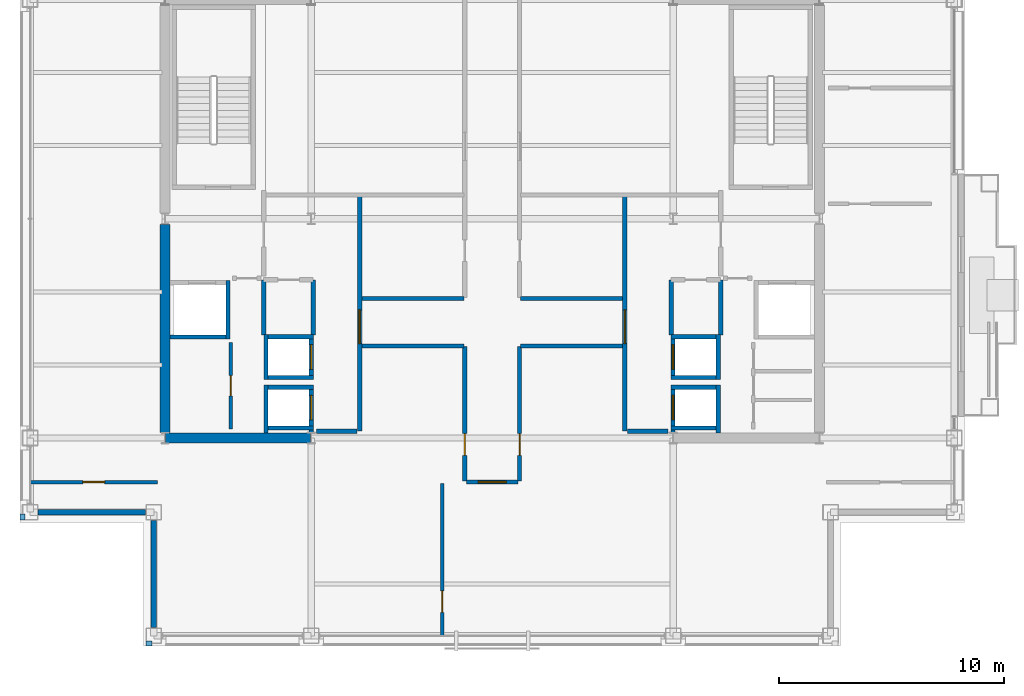
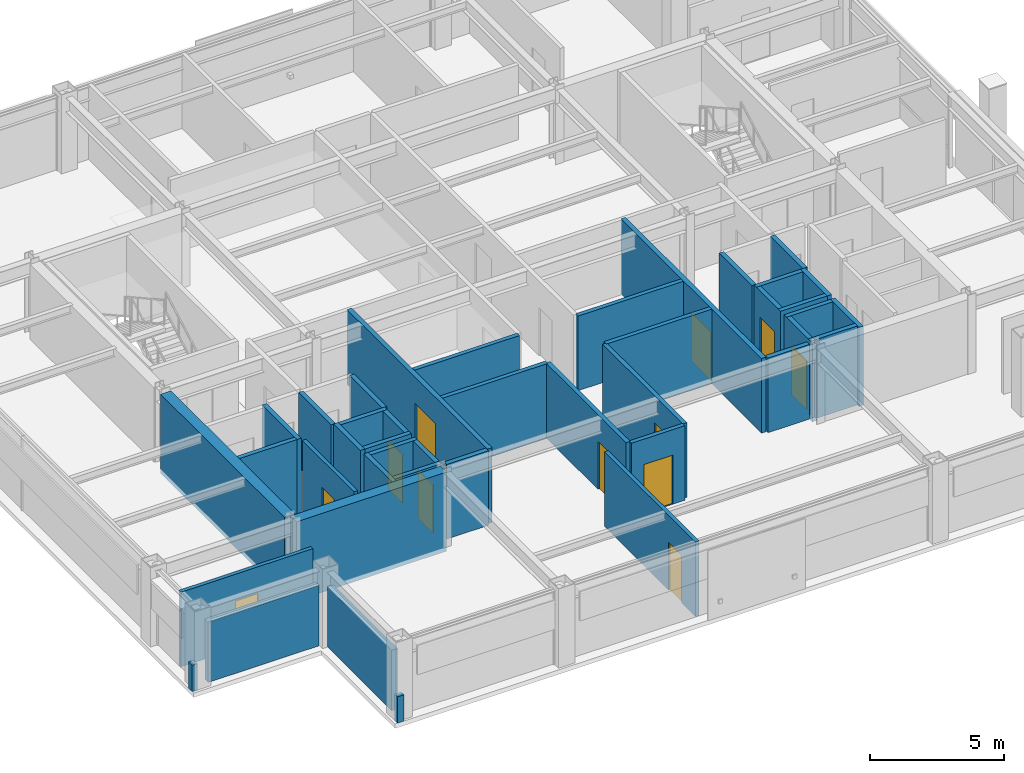
# One storey, part 25 of 30: 42 walls, 12 doors, 12 openings.
"""IFC4 building model written with IfcOpenShell, lengths in metres."""

from ifc_helpers import new_model, si_unit, direction, frame, frame_2d, origin, place, context, subcontext, project, spatial, rectangle, extrude, material, layer, layer_set, type_object, element, fill, save


model = new_model("IFC4")

# Units and contexts
model_context = context("Model", 3, precision=1e-05, world=origin(), true_north=direction((0.0, 1.0)))
body_context = subcontext(model_context, "Body", "Model", "MODEL_VIEW")
ifc_project = project(units=[si_unit("LENGTHUNIT", "METRE"), si_unit("AREAUNIT", "SQUARE_METRE"), si_unit("VOLUMEUNIT", "CUBIC_METRE"), si_unit("PLANEANGLEUNIT", "RADIAN"), si_unit("MASSUNIT", "GRAM", prefix="KILO")], contexts=[model_context])

# Site, building, storey
site_placement = place(None, origin())
site = spatial("IfcSite", under=ifc_project, at=site_placement, CompositionType="ELEMENT")
building_placement = place(site_placement, origin())
building = spatial("IfcBuilding", under=site, at=building_placement, Name="Brelmoor Portico Tower", CompositionType="ELEMENT")
storey_placement = place(building_placement, frame((0.0, 0.0, 198.300048828125)))
storey = spatial("IfcBuildingStorey", under=building, at=storey_placement, Name="L52", CompositionType="ELEMENT", Elevation=198.300048828125)

# Walls
ifc_material_1 = material(Name="Concrete C50", Category="concrete")
ifc_layer_1 = layer(ifc_material_1, 0.449951171875)
ifc_layer_set_1 = layer_set([ifc_layer_1], Name="Concrete C50")
wall_type_1 = type_object("IfcWallType", Name="WL-CORE-450", PredefinedType="SHEAR", material=ifc_layer_set_1)
wall_1_placement = place(storey_placement, frame((-14.530029296875, -9.75, -0.199951171875), z_axis=(0.0, 0.0, 1.0), x_axis=(1.0, 0.0, 0.0)))
element("IfcWall", 1, at=wall_1_placement, inside=storey, type_object=wall_type_1, Name="L52 WC South Shear Wall", PredefinedType="SHEAR", context=body_context, shape_type="SweptSolid", body=[
    extrude(rectangle(XDim=6.4599609375, YDim=0.449951171875, at=frame_2d((3.22998046875, 0.0))), origin(), (0.0, 0.0, 1.0), 3.599853515625),
])
wall_2_placement = place(storey_placement, frame((-14.550048828125, -9.5, -0.199951171875), z_axis=(0.0, 0.0, 1.0), x_axis=(0.0, 1.0, 0.0)))
element("IfcWall", 2, at=wall_2_placement, inside=storey, type_object=wall_type_1, Name="L52 WC Outer South Shear Wall", PredefinedType="SHEAR", context=body_context, shape_type="SweptSolid", body=[
    extrude(rectangle(XDim=9.25, YDim=0.449951171875, at=frame_2d((4.625, 0.0))), origin(), (0.0, 0.0, 1.0), 3.599853515625),
])
ifc_material_2 = material(Name="Precast Concrete C40 Insulated Facade Wall", Category="concrete")
ifc_layer_2 = layer(ifc_material_2, 0.25)
ifc_layer_set_2 = layer_set([ifc_layer_2], Name="Precast Concrete C40 Insulated Facade Wall")
wall_type_2 = type_object("IfcWallType", Name="WL-EXT-250", PredefinedType="STANDARD", material=ifc_layer_set_2)
for number, where, z_axis, x_axis, name in (
    (3, (-20.18994140625, -13.050048828125, 0.0), (0.0, 0.0, 1.0), (1.0, 0.0, 0.0), "L52 Corner Notch Facade Wall NSWH1"),
    (4, (-15.050048828125, -18.18994140625, 0.0), (0.0, 0.0, 1.0), (0.0, 1.0, 0.0), "L52 Corner Notch Facade Wall NSWV1"),
):
    element("IfcWall", number, at=place(storey_placement, frame(where, z_axis=z_axis, x_axis=x_axis)), inside=storey, type_object=wall_type_2, Name=name, PredefinedType="STANDARD", context=body_context, shape_type="SweptSolid", body=[
        extrude(rectangle(XDim=4.780029296875, YDim=0.25, at=frame_2d((2.39013671875, 0.0))), origin(), (0.0, 0.0, 1.0), 2.75),
    ])
ifc_material_3 = material(Name="Concrete C40 Parapet Upstand", Category="concrete")
ifc_layer_3 = layer(ifc_material_3, 0.219970703125)
ifc_layer_set_3 = layer_set([ifc_layer_3], Name="Concrete C40 Parapet Upstand")
wall_type_3 = type_object("IfcWallType", Name="WL-PARAPET-220", PredefinedType="PARAPET", material=ifc_layer_set_3)
for number, where, z_axis, x_axis, name in (
    (5, (-15.389892578125, -18.889892578125, 0.0), (0.0, 0.0, 1.0), (1.0, 0.0, 0.0), "L52 Chamfer Vertex Parapet Pier SW1"),
    (6, (-20.889892578125, -13.389892578125, 0.0), (0.0, 0.0, 1.0), (0.0, 1.0, 0.0), "L52 Chamfer Vertex Parapet Pier SW2"),
):
    element("IfcWall", number, at=place(storey_placement, frame(where, z_axis=z_axis, x_axis=x_axis)), inside=storey, type_object=wall_type_3, Name=name, PredefinedType="PARAPET", context=body_context, shape_type="SweptSolid", body=[
        extrude(rectangle(XDim=0.269775390625, YDim=0.219970703125, at=frame_2d((0.134765625, 0.0))), origin(), (0.0, 0.0, 1.0), 1.199951171875),
    ])

# Wall, opening, door
ifc_material_4 = material(Name="Twin-Frame Acoustic Partition", Category="gypsum")
ifc_layer_4 = layer(ifc_material_4, 0.159912109375)
ifc_layer_set_4 = layer_set([ifc_layer_4], Name="Twin-Frame Acoustic Partition")
wall_type_4 = type_object("IfcWallType", Name="WL-PART-160", PredefinedType="PARTITIONING", material=ifc_layer_set_4)
wall_3_placement = place(storey_placement, frame((-11.6201171875, -9.35009765625, 0.0), z_axis=(0.0, 0.0, 1.0), x_axis=(0.0, 1.0, 0.0)))
wall_3 = element("IfcWall", 7, at=wall_3_placement, inside=storey, type_object=wall_type_4, Name="L52 W Core Service Front Wall", PredefinedType="PARTITIONING", context=body_context, shape_type="SweptSolid", body=[
    extrude(rectangle(XDim=3.85009765625, YDim=0.159912109375, at=frame_2d((1.925048828125, 0.0))), origin(), (0.0, 0.0, 1.0), 3.39990234375),
])
opening_1_placement = place(wall_3_placement, frame((1.47509765625, 0.0, 0.0)))
opening_1 = element("IfcOpeningElement", 8, at=opening_1_placement, cuts=wall_3, Name="Opening D-IN1", PredefinedType="OPENING", context=body_context, shape_type="SweptSolid", body=[
    extrude(rectangle(XDim=0.89990234375, YDim=2.14990234375, at=frame_2d((0.449951171875, 1.074951171875))), frame((0.0, 0.08984375, 0.0), z_axis=(0.0, -1.0, 0.0), x_axis=(1.0, 0.0, 0.0)), (0.0, 0.0, 1.0), 0.179931640625),
])
ifc_material_5 = material(Name="Lacquered Timber Suite Door", Category="wood")
door_type_1 = type_object("IfcDoorType", Name="DR-INT-900", OperationType="NOTDEFINED", PredefinedType="DOOR", material=ifc_material_5)
door_1_placement = place(opening_1_placement, origin())
door_1 = element("IfcDoor", 9, at=door_1_placement, inside=storey, type_object=door_type_1, Name="D-2191 L52 W Accessible WC Door", OperationType="SINGLE_SWING_RIGHT", OverallHeight=2.14990234375, OverallWidth=0.89990234375, PredefinedType="DOOR", context=body_context, shape_type="SweptSolid", body=[
    extrude(rectangle(XDim=0.89990234375, YDim=2.14990234375, at=frame_2d((0.449951171875, 1.074951171875))), frame((0.0, 0.02490234375, 0.0), z_axis=(0.0, -1.0, 0.0), x_axis=(1.0, 0.0, 0.0)), (0.0, 0.0, 1.0), 0.050048828125),
])
fill(opening_1, door_1)

wall_4_placement = place(storey_placement, frame((-2.2255859375, -18.56005859375, 0.0), z_axis=(0.0, 0.0, 1.0), x_axis=(0.0, 1.0, 0.0)))
wall_4 = element("IfcWall", 10, at=wall_4_placement, inside=storey, type_object=wall_type_4, Name="L52 South Suite Partition 1", PredefinedType="PARTITIONING", context=body_context, shape_type="SweptSolid", body=[
    extrude(rectangle(XDim=6.7900390625, YDim=0.159912109375, at=frame_2d((3.39501953125, 0.0))), origin(), (0.0, 0.0, 1.0), 3.39990234375),
])
opening_2_placement = place(wall_4_placement, frame((1.050048828125, 0.0, 0.0)))
opening_2 = element("IfcOpeningElement", 11, at=opening_2_placement, cuts=wall_4, Name="Opening D-IN2", PredefinedType="OPENING", context=body_context, shape_type="SweptSolid", body=[
    extrude(rectangle(XDim=0.9599609375, YDim=2.179931640625, at=frame_2d((0.47998046875, 1.08984375))), frame((0.0, 0.08984375, 0.0), z_axis=(0.0, -1.0, 0.0), x_axis=(1.0, 0.0, 0.0)), (0.0, 0.0, 1.0), 0.179931640625),
])
door_type_2 = type_object("IfcDoorType", Name="DR-INT-950", OperationType="NOTDEFINED", PredefinedType="DOOR", material=ifc_material_5)
door_2_placement = place(opening_2_placement, origin())
door_2 = element("IfcDoor", 12, at=door_2_placement, inside=storey, type_object=door_type_2, Name="D-2206 L52 South Suite Connecting Door 1", OperationType="SINGLE_SWING_RIGHT", OverallHeight=2.179931640625, OverallWidth=0.9599609375, PredefinedType="DOOR", context=body_context, shape_type="SweptSolid", body=[
    extrude(rectangle(XDim=0.9599609375, YDim=2.179931640625, at=frame_2d((0.47998046875, 1.08984375))), frame((0.0, 0.02490234375, 0.0), z_axis=(0.0, -1.0, 0.0), x_axis=(1.0, 0.0, 0.0)), (0.0, 0.0, 1.0), 0.050048828125),
])
fill(opening_2, door_2)

wall_5_placement = place(storey_placement, frame((-20.56005859375, -11.7099609375, 0.0), z_axis=(0.0, 0.0, 1.0), x_axis=(1.0, 0.0, 0.0)))
wall_5 = element("IfcWall", 13, at=wall_5_placement, inside=storey, type_object=wall_type_4, Name="L52 South Wing Closure WL", PredefinedType="PARTITIONING", context=body_context, shape_type="SweptSolid", body=[
    extrude(rectangle(XDim=5.68017578125, YDim=0.159912109375, at=frame_2d((2.840087890625, 0.0))), origin(), (0.0, 0.0, 1.0), 3.39990234375),
])
opening_3_placement = place(wall_5_placement, frame((2.360107421875, 0.0, 0.0)))
opening_3 = element("IfcOpeningElement", 14, at=opening_3_placement, cuts=wall_5, Name="Opening D-IN2", PredefinedType="OPENING", context=body_context, shape_type="SweptSolid", body=[
    extrude(rectangle(XDim=0.9599609375, YDim=2.179931640625, at=frame_2d((0.47998046875, 1.08984375))), frame((0.0, 0.08984375, 0.0), z_axis=(0.0, -1.0, 0.0), x_axis=(1.0, 0.0, 0.0)), (0.0, 0.0, 1.0), 0.179931640625),
])
door_3_placement = place(opening_3_placement, origin())
door_3 = element("IfcDoor", 15, at=door_3_placement, inside=storey, type_object=door_type_2, Name="D-2210 L52 WL Wing South Suite Door", OperationType="SINGLE_SWING_RIGHT", OverallHeight=2.179931640625, OverallWidth=0.9599609375, PredefinedType="DOOR", context=body_context, shape_type="SweptSolid", body=[
    extrude(rectangle(XDim=0.9599609375, YDim=2.179931640625, at=frame_2d((0.47998046875, 1.08984375))), frame((0.0, 0.02490234375, 0.0), z_axis=(0.0, -1.0, 0.0), x_axis=(1.0, 0.0, 0.0)), (0.0, 0.0, 1.0), 0.050048828125),
])
fill(opening_3, door_3)

# Walls
ifc_material_6 = material(Name="Acoustic Corridor Fire Partition", Category="gypsum")
ifc_layer_5 = layer(ifc_material_6, 0.179931640625)
ifc_layer_set_5 = layer_set([ifc_layer_5], Name="Acoustic Corridor Fire Partition")
wall_type_5 = type_object("IfcWallType", Name="WL-PART-180", PredefinedType="PARTITIONING", material=ifc_layer_set_5)
for number, where, z_axis, x_axis, name in (
    (16, (-5.800048828125, -3.550048828125, 0.0), (0.0, 0.0, 1.0), (1.0, 0.0, 0.0), "L52 West Pantry South Wall"),
    (17, (1.260009765625, -3.550048828125, 0.0), (0.0, 0.0, 1.0), (1.0, 0.0, 0.0), "L52 East Office South Wall"),
):
    element("IfcWall", number, at=place(storey_placement, frame(where, z_axis=z_axis, x_axis=x_axis)), inside=storey, type_object=wall_type_5, Name=name, PredefinedType="PARTITIONING", context=body_context, shape_type="SweptSolid", body=[
        extrude(rectangle(XDim=4.5400390625, YDim=0.179931640625, at=frame_2d((2.27001953125, 0.0))), origin(), (0.0, 0.0, 1.0), 3.39990234375),
    ])

# Wall, opening, door
wall_6_placement = place(storey_placement, frame((-1.219970703125, -11.669921875, 0.0), z_axis=(0.0, 0.0, 1.0), x_axis=(0.0, 1.0, 0.0)))
wall_6 = element("IfcWall", 18, at=wall_6_placement, inside=storey, type_object=wall_type_5, Name="L52 South Cross West Wall", PredefinedType="PARTITIONING", context=body_context, shape_type="SweptSolid", body=[
    extrude(rectangle(XDim=5.989990234375, YDim=0.179931640625, at=frame_2d((2.9951171875, 0.0))), origin(), (0.0, 0.0, 1.0), 3.39990234375),
])
opening_4_placement = place(wall_6_placement, frame((1.14990234375, 0.0, 0.0)))
opening_4 = element("IfcOpeningElement", 19, at=opening_4_placement, cuts=wall_6, Name="Opening D-IN2", PredefinedType="OPENING", context=body_context, shape_type="SweptSolid", body=[
    extrude(rectangle(XDim=0.9599609375, YDim=2.179931640625, at=frame_2d((0.47998046875, 1.08984375))), frame((0.0, 0.099853515625, 0.0), z_axis=(0.0, -1.0, 0.0), x_axis=(1.0, 0.0, 0.0)), (0.0, 0.0, 1.0), 0.199951171875),
])
door_4_placement = place(opening_4_placement, origin())
door_4 = element("IfcDoor", 20, at=door_4_placement, inside=storey, type_object=door_type_2, Name="D-2183 L52 South-West Archive Room Door", OperationType="SINGLE_SWING_LEFT", OverallHeight=2.179931640625, OverallWidth=0.9599609375, PredefinedType="DOOR", context=body_context, shape_type="SweptSolid", body=[
    extrude(rectangle(XDim=0.9599609375, YDim=2.179931640625, at=frame_2d((0.47998046875, 1.08984375))), frame((0.0, 0.02490234375, 0.0), z_axis=(0.0, -1.0, 0.0), x_axis=(1.0, 0.0, 0.0)), (0.0, 0.0, 1.0), 0.050048828125),
])
fill(opening_4, door_4)

wall_7_placement = place(storey_placement, frame((1.219970703125, -11.669921875, 0.0), z_axis=(0.0, 0.0, 1.0), x_axis=(0.0, 1.0, 0.0)))
wall_7 = element("IfcWall", 21, at=wall_7_placement, inside=storey, type_object=wall_type_5, Name="L52 South Cross East Wall", PredefinedType="PARTITIONING", context=body_context, shape_type="SweptSolid", body=[
    extrude(rectangle(XDim=5.989990234375, YDim=0.179931640625, at=frame_2d((2.9951171875, 0.0))), origin(), (0.0, 0.0, 1.0), 3.39990234375),
])
opening_5_placement = place(wall_7_placement, frame((1.14990234375, 0.0, 0.0)))
opening_5 = element("IfcOpeningElement", 22, at=opening_5_placement, cuts=wall_7, Name="Opening D-IN2", PredefinedType="OPENING", context=body_context, shape_type="SweptSolid", body=[
    extrude(rectangle(XDim=0.9599609375, YDim=2.179931640625, at=frame_2d((0.47998046875, 1.08984375))), frame((0.0, 0.099853515625, 0.0), z_axis=(0.0, -1.0, 0.0), x_axis=(1.0, 0.0, 0.0)), (0.0, 0.0, 1.0), 0.199951171875),
])
door_5_placement = place(opening_5_placement, origin())
door_5 = element("IfcDoor", 23, at=door_5_placement, inside=storey, type_object=door_type_2, Name="D-2182 L52 South-East Partner Office Door", OperationType="SINGLE_SWING_RIGHT", OverallHeight=2.179931640625, OverallWidth=0.9599609375, PredefinedType="DOOR", context=body_context, shape_type="SweptSolid", body=[
    extrude(rectangle(XDim=0.9599609375, YDim=2.179931640625, at=frame_2d((0.47998046875, 1.08984375))), frame((0.0, 0.02490234375, 0.0), z_axis=(0.0, -1.0, 0.0), x_axis=(1.0, 0.0, 0.0)), (0.0, 0.0, 1.0), 0.050048828125),
])
fill(opening_5, door_5)

# Walls
for number, where, z_axis, x_axis, name in (
    (24, (-5.800048828125, -5.64990234375, 0.0), (0.0, 0.0, 1.0), (1.0, 0.0, 0.0), "L52 South-West Chamber Top Wall"),
    (25, (1.260009765625, -5.64990234375, 0.0), (0.0, 0.0, 1.0), (1.0, 0.0, 0.0), "L52 South-East Chamber Top Wall"),
):
    element("IfcWall", number, at=place(storey_placement, frame(where, z_axis=z_axis, x_axis=x_axis)), inside=storey, type_object=wall_type_5, Name=name, PredefinedType="PARTITIONING", context=body_context, shape_type="SweptSolid", body=[
        extrude(rectangle(XDim=4.5400390625, YDim=0.179931640625, at=frame_2d((2.27001953125, 0.0))), origin(), (0.0, 0.0, 1.0), 3.39990234375),
    ])

# Wall, opening, door
wall_8_placement = place(storey_placement, frame((-1.14990234375, -11.7099609375, 0.0), z_axis=(0.0, 0.0, 1.0), x_axis=(1.0, 0.0, 0.0)))
wall_8 = element("IfcWall", 26, at=wall_8_placement, inside=storey, type_object=wall_type_5, Name="L52 South Corridor Partition", PredefinedType="PARTITIONING", context=body_context, shape_type="SweptSolid", body=[
    extrude(rectangle(XDim=2.2998046875, YDim=0.179931640625, at=frame_2d((1.14990234375, 0.0))), origin(), (0.0, 0.0, 1.0), 3.39990234375),
])
opening_6_placement = place(wall_8_placement, frame((0.530029296875, 0.0, 0.0)))
opening_6 = element("IfcOpeningElement", 27, at=opening_6_placement, cuts=wall_8, Name="Opening D-SU1", PredefinedType="OPENING", context=body_context, shape_type="SweptSolid", body=[
    extrude(rectangle(XDim=1.239990234375, YDim=2.239990234375, at=frame_2d((0.6201171875, 1.1201171875))), frame((0.0, 0.099853515625, 0.0), z_axis=(0.0, -1.0, 0.0), x_axis=(1.0, 0.0, 0.0)), (0.0, 0.0, 1.0), 0.199951171875),
])
ifc_material_7 = material(Name="Glazed Timber Executive Suite Door", Category="wood")
door_type_3 = type_object("IfcDoorType", Name="DR-SUITE-1200", OperationType="NOTDEFINED", PredefinedType="DOOR", material=ifc_material_7)
door_6_placement = place(opening_6_placement, origin())
door_6 = element("IfcDoor", 28, at=door_6_placement, inside=storey, type_object=door_type_3, Name="D-2205 L52 South Cellular Office 2 Door", OperationType="SINGLE_SWING_LEFT", OverallHeight=2.239990234375, OverallWidth=1.239990234375, PredefinedType="DOOR", context=body_context, shape_type="SweptSolid", body=[
    extrude(rectangle(XDim=1.239990234375, YDim=2.239990234375, at=frame_2d((0.6201171875, 1.1201171875))), frame((0.0, 0.02490234375, 0.0), z_axis=(0.0, -1.0, 0.0), x_axis=(1.0, 0.0, 0.0)), (0.0, 0.0, 1.0), 0.050048828125),
])
fill(opening_6, door_6)

ifc_material_8 = material(Name="Double-Stud Gypsum Fire Partition", Category="gypsum")
ifc_layer_6 = layer(ifc_material_8, 0.199951171875)
ifc_layer_set_6 = layer_set([ifc_layer_6], Name="Double-Stud Gypsum Fire Partition")
wall_type_6 = type_object("IfcWallType", Name="WL-PART-200", PredefinedType="PARTITIONING", material=ifc_layer_set_6)
wall_9_placement = place(storey_placement, frame((-5.89990234375, -9.449951171875, 0.0), z_axis=(0.0, 0.0, 1.0), x_axis=(0.0, 1.0, 0.0)))
wall_9 = element("IfcWall", 29, at=wall_9_placement, inside=storey, type_object=wall_type_6, Name="L52 W Core Lobby Compartment Wall", PredefinedType="PARTITIONING", context=body_context, shape_type="SweptSolid", body=[
    extrude(rectangle(XDim=10.5, YDim=0.199951171875, at=frame_2d((5.25, 0.0))), origin(), (0.0, 0.0, 1.0), 3.39990234375),
])
opening_7_placement = place(wall_9_placement, frame((3.89990234375, 0.0, 0.0)))
opening_7 = element("IfcOpeningElement", 30, at=opening_7_placement, cuts=wall_9, Name="Opening D-LB1", PredefinedType="OPENING", context=body_context, shape_type="SweptSolid", body=[
    extrude(rectangle(XDim=1.5, YDim=2.199951171875, at=frame_2d((0.75, 1.10009765625))), frame((0.0, 0.10986328125, 0.0), z_axis=(0.0, -1.0, 0.0), x_axis=(1.0, 0.0, 0.0)), (0.0, 0.0, 1.0), 0.219970703125),
])
ifc_material_9 = material(Name="Double-Leaf Glazed Steel Fire Door", Category="steel")
door_type_4 = type_object("IfcDoorType", Name="DR-LOBBY-1500", OperationType="NOTDEFINED", PredefinedType="DOOR", material=ifc_material_9)
door_7_placement = place(opening_7_placement, origin())
door_7 = element("IfcDoor", 31, at=door_7_placement, inside=storey, type_object=door_type_4, Name="D-2197 L52 W Lift Lobby Main Door", OperationType="DOUBLE_DOOR_SINGLE_SWING", OverallHeight=2.199951171875, OverallWidth=1.5, PredefinedType="DOOR", context=body_context, shape_type="SweptSolid", body=[
    extrude(rectangle(XDim=1.5, YDim=2.199951171875, at=frame_2d((0.75, 1.10009765625))), frame((0.0, 0.02490234375, 0.0), z_axis=(0.0, -1.0, 0.0), x_axis=(1.0, 0.0, 0.0)), (0.0, 0.0, 1.0), 0.050048828125),
])
fill(opening_7, door_7)

# Walls
wall_10_placement = place(storey_placement, frame((-6.02001953125, -9.449951171875, 0.0), z_axis=(0.0, 0.0, 1.0), x_axis=(-1.0, 0.0, 0.0)))
element("IfcWall", 32, at=wall_10_placement, inside=storey, type_object=wall_type_6, Name="L52 W Lift Lobby South End Wall", PredefinedType="PARTITIONING", context=body_context, shape_type="SweptSolid", body=[
    extrude(rectangle(XDim=1.800048828125, YDim=0.199951171875, at=frame_2d((0.89990234375, 0.0))), origin(), (0.0, 0.0, 1.0), 3.39990234375),
])
for number, where, z_axis, x_axis, name in (
    (33, (-7.9599609375, -5.159912109375, 0.0), (0.0, 0.0, 1.0), (0.0, 1.0, 0.0), "L52 W Electrical Switchgear Closet Inner Wall"),
    (34, (-10.159912109375, -5.159912109375, 0.0), (0.0, 0.0, 1.0), (0.0, 1.0, 0.0), "L52 W Electrical Switchgear Closet Outer Wall"),
):
    element("IfcWall", number, at=place(storey_placement, frame(where, z_axis=z_axis, x_axis=x_axis)), inside=storey, type_object=wall_type_6, Name=name, PredefinedType="PARTITIONING", context=body_context, shape_type="SweptSolid", body=[
        extrude(rectangle(XDim=2.43994140625, YDim=0.199951171875, at=frame_2d((1.219970703125, 0.0))), origin(), (0.0, 0.0, 1.0), 3.39990234375),
    ])

# Wall, opening, door
wall_11_placement = place(storey_placement, frame((5.89990234375, -9.449951171875, 0.0), z_axis=(0.0, 0.0, 1.0), x_axis=(0.0, 1.0, 0.0)))
wall_11 = element("IfcWall", 35, at=wall_11_placement, inside=storey, type_object=wall_type_6, Name="L52 E Core Lobby Compartment Wall", PredefinedType="PARTITIONING", context=body_context, shape_type="SweptSolid", body=[
    extrude(rectangle(XDim=10.5, YDim=0.199951171875, at=frame_2d((5.25, 0.0))), origin(), (0.0, 0.0, 1.0), 3.39990234375),
])
opening_8_placement = place(wall_11_placement, frame((3.89990234375, 0.0, 0.0)))
opening_8 = element("IfcOpeningElement", 36, at=opening_8_placement, cuts=wall_11, Name="Opening D-LB1", PredefinedType="OPENING", context=body_context, shape_type="SweptSolid", body=[
    extrude(rectangle(XDim=1.5, YDim=2.199951171875, at=frame_2d((0.75, 1.10009765625))), frame((0.0, 0.10986328125, 0.0), z_axis=(0.0, -1.0, 0.0), x_axis=(1.0, 0.0, 0.0)), (0.0, 0.0, 1.0), 0.219970703125),
])
door_8_placement = place(opening_8_placement, origin())
door_8 = element("IfcDoor", 37, at=door_8_placement, inside=storey, type_object=door_type_4, Name="D-2196 L52 E Lift Lobby Main Door", OperationType="DOUBLE_DOOR_SINGLE_SWING", OverallHeight=2.199951171875, OverallWidth=1.5, PredefinedType="DOOR", context=body_context, shape_type="SweptSolid", body=[
    extrude(rectangle(XDim=1.5, YDim=2.199951171875, at=frame_2d((0.75, 1.10009765625))), frame((0.0, 0.02490234375, 0.0), z_axis=(0.0, -1.0, 0.0), x_axis=(1.0, 0.0, 0.0)), (0.0, 0.0, 1.0), 0.050048828125),
])
fill(opening_8, door_8)

# Walls
wall_12_placement = place(storey_placement, frame((6.02001953125, -9.449951171875, 0.0), z_axis=(0.0, 0.0, 1.0), x_axis=(1.0, 0.0, 0.0)))
element("IfcWall", 38, at=wall_12_placement, inside=storey, type_object=wall_type_6, Name="L52 E Lift Lobby South End Wall", PredefinedType="PARTITIONING", context=body_context, shape_type="SweptSolid", body=[
    extrude(rectangle(XDim=1.800048828125, YDim=0.199951171875, at=frame_2d((0.89990234375, 0.0))), origin(), (0.0, 0.0, 1.0), 3.39990234375),
])
for number, where, z_axis, x_axis, name in (
    (39, (7.9599609375, -5.159912109375, 0.0), (0.0, 0.0, 1.0), (0.0, 1.0, 0.0), "L52 E Electrical Switchgear Closet Inner Wall"),
    (40, (10.159912109375, -5.159912109375, 0.0), (0.0, 0.0, 1.0), (0.0, 1.0, 0.0), "L52 E Electrical Switchgear Closet Outer Wall"),
):
    element("IfcWall", number, at=place(storey_placement, frame(where, z_axis=z_axis, x_axis=x_axis)), inside=storey, type_object=wall_type_6, Name=name, PredefinedType="PARTITIONING", context=body_context, shape_type="SweptSolid", body=[
        extrude(rectangle(XDim=2.43994140625, YDim=0.199951171875, at=frame_2d((1.219970703125, 0.0))), origin(), (0.0, 0.0, 1.0), 3.39990234375),
    ])

# Wall, opening, door
ifc_material_10 = material(Name="Precast Concrete C40", Category="concrete")
ifc_layer_7 = layer(ifc_material_10, 0.18994140625)
ifc_layer_set_7 = layer_set([ifc_layer_7], Name="Precast Concrete C40")
wall_type_7 = type_object("IfcWallType", Name="WL-SHAFT-180", PredefinedType="SOLIDWALL", material=ifc_layer_set_7)
wall_13_placement = place(storey_placement, frame((-8.044921875, -9.52001953125, -0.199951171875), z_axis=(0.0, 0.0, 1.0), x_axis=(0.0, 1.0, 0.0)))
wall_13 = element("IfcWall", 41, at=wall_13_placement, inside=storey, type_object=wall_type_7, Name="L52 Lift PH1 Hoistway Front Wall", PredefinedType="SOLIDWALL", context=body_context, shape_type="SweptSolid", body=[
    extrude(rectangle(XDim=2.1201171875, YDim=0.18994140625, at=frame_2d((1.06005859375, 0.0))), origin(), (0.0, 0.0, 1.0), 3.599853515625),
])
opening_9_placement = place(wall_13_placement, frame((0.570068359375, 0.0, 0.199951171875)))
opening_9 = element("IfcOpeningElement", 42, at=opening_9_placement, cuts=wall_13, Name="Opening LD-01", PredefinedType="OPENING", context=body_context, shape_type="SweptSolid", body=[
    extrude(rectangle(XDim=1.10009765625, YDim=2.199951171875, at=frame_2d((0.550048828125, 1.10009765625))), frame((0.0, 0.10498046875, 0.0), z_axis=(0.0, -1.0, 0.0), x_axis=(1.0, 0.0, 0.0)), (0.0, 0.0, 1.0), 0.2099609375),
])
ifc_material_11 = material(Name="Brushed Stainless Steel Sliding Lift Door", Category="steel")
door_type_5 = type_object("IfcDoorType", Name="DR-LIFT-1100", OperationType="NOTDEFINED", PredefinedType="DOOR", material=ifc_material_11)
door_9_placement = place(opening_9_placement, origin())
door_9 = element("IfcDoor", 43, at=door_9_placement, inside=storey, type_object=door_type_5, Name="D-2216 L52 Lift PH1 Sliding Landing Door", OperationType="SLIDING_TO_LEFT", OverallHeight=2.199951171875, OverallWidth=1.10009765625, PredefinedType="DOOR", context=body_context, shape_type="SweptSolid", body=[
    extrude(rectangle(XDim=1.10009765625, YDim=2.199951171875, at=frame_2d((0.550048828125, 1.10009765625))), frame((0.0, 0.02490234375, 0.0), z_axis=(0.0, -1.0, 0.0), x_axis=(1.0, 0.0, 0.0)), (0.0, 0.0, 1.0), 0.050048828125),
])
fill(opening_9, door_9)

# Walls
wall_14_placement = place(storey_placement, frame((-10.054931640625, -9.52001953125, -0.199951171875), z_axis=(0.0, 0.0, 1.0), x_axis=(0.0, 1.0, 0.0)))
element("IfcWall", 44, at=wall_14_placement, inside=storey, type_object=wall_type_7, Name="L52 Lift PH1 Hoistway Back Wall", PredefinedType="SOLIDWALL", context=body_context, shape_type="SweptSolid", body=[
    extrude(rectangle(XDim=2.1201171875, YDim=0.18994140625, at=frame_2d((1.06005859375, 0.0))), origin(), (0.0, 0.0, 1.0), 3.599853515625),
])
for number, where, z_axis, x_axis, name in (
    (45, (-10.14990234375, -7.4951171875, -0.199951171875), (0.0, 0.0, 1.0), (1.0, 0.0, 0.0), "L52 Lift PH1 Hoistway North Wall"),
    (46, (-10.14990234375, -9.304931640625, -0.199951171875), (0.0, 0.0, 1.0), (1.0, 0.0, 0.0), "L52 Lift PH1 Hoistway South Wall"),
):
    element("IfcWall", number, at=place(storey_placement, frame(where, z_axis=z_axis, x_axis=x_axis)), inside=storey, type_object=wall_type_7, Name=name, PredefinedType="SOLIDWALL", context=body_context, shape_type="SweptSolid", body=[
        extrude(rectangle(XDim=2.199951171875, YDim=0.18994140625, at=frame_2d((1.10009765625, 0.0))), origin(), (0.0, 0.0, 1.0), 3.599853515625),
    ])

# Wall, opening, door
wall_15_placement = place(storey_placement, frame((-8.044921875, -7.14990234375, -0.199951171875), z_axis=(0.0, 0.0, 1.0), x_axis=(0.0, 1.0, 0.0)))
wall_15 = element("IfcWall", 47, at=wall_15_placement, inside=storey, type_object=wall_type_7, Name="L52 Lift PH2 Hoistway Front Wall", PredefinedType="SOLIDWALL", context=body_context, shape_type="SweptSolid", body=[
    extrude(rectangle(XDim=2.0, YDim=0.18994140625, at=frame_2d((1.0, 0.0))), origin(), (0.0, 0.0, 1.0), 3.599853515625),
])
opening_10_placement = place(wall_15_placement, frame((0.449951171875, 0.0, 0.199951171875)))
opening_10 = element("IfcOpeningElement", 48, at=opening_10_placement, cuts=wall_15, Name="Opening LD-01", PredefinedType="OPENING", context=body_context, shape_type="SweptSolid", body=[
    extrude(rectangle(XDim=1.10009765625, YDim=2.199951171875, at=frame_2d((0.550048828125, 1.10009765625))), frame((0.0, 0.10498046875, 0.0), z_axis=(0.0, -1.0, 0.0), x_axis=(1.0, 0.0, 0.0)), (0.0, 0.0, 1.0), 0.2099609375),
])
door_10_placement = place(opening_10_placement, origin())
door_10 = element("IfcDoor", 49, at=door_10_placement, inside=storey, type_object=door_type_5, Name="D-2217 L52 Lift PH2 Sliding Landing Door", OperationType="SLIDING_TO_LEFT", OverallHeight=2.199951171875, OverallWidth=1.10009765625, PredefinedType="DOOR", context=body_context, shape_type="SweptSolid", body=[
    extrude(rectangle(XDim=1.10009765625, YDim=2.199951171875, at=frame_2d((0.550048828125, 1.10009765625))), frame((0.0, 0.02490234375, 0.0), z_axis=(0.0, -1.0, 0.0), x_axis=(1.0, 0.0, 0.0)), (0.0, 0.0, 1.0), 0.050048828125),
])
fill(opening_10, door_10)

# Walls
wall_16_placement = place(storey_placement, frame((-10.054931640625, -7.14990234375, -0.199951171875), z_axis=(0.0, 0.0, 1.0), x_axis=(0.0, 1.0, 0.0)))
element("IfcWall", 50, at=wall_16_placement, inside=storey, type_object=wall_type_7, Name="L52 Lift PH2 Hoistway Back Wall", PredefinedType="SOLIDWALL", context=body_context, shape_type="SweptSolid", body=[
    extrude(rectangle(XDim=2.0, YDim=0.18994140625, at=frame_2d((1.0, 0.0))), origin(), (0.0, 0.0, 1.0), 3.599853515625),
])
for number, where, z_axis, x_axis, name in (
    (51, (-10.14990234375, -5.2451171875, -0.199951171875), (0.0, 0.0, 1.0), (1.0, 0.0, 0.0), "L52 Lift PH2 Hoistway North Wall"),
    (52, (-10.14990234375, -7.054931640625, -0.199951171875), (0.0, 0.0, 1.0), (1.0, 0.0, 0.0), "L52 Lift PH2 Hoistway South Wall"),
):
    element("IfcWall", number, at=place(storey_placement, frame(where, z_axis=z_axis, x_axis=x_axis)), inside=storey, type_object=wall_type_7, Name=name, PredefinedType="SOLIDWALL", context=body_context, shape_type="SweptSolid", body=[
        extrude(rectangle(XDim=2.199951171875, YDim=0.18994140625, at=frame_2d((1.10009765625, 0.0))), origin(), (0.0, 0.0, 1.0), 3.599853515625),
    ])

# Wall, opening, door
wall_17_placement = place(storey_placement, frame((8.044921875, -9.52001953125, -0.199951171875), z_axis=(0.0, 0.0, 1.0), x_axis=(0.0, 1.0, 0.0)))
wall_17 = element("IfcWall", 53, at=wall_17_placement, inside=storey, type_object=wall_type_7, Name="L52 Lift PH3 Hoistway Front Wall", PredefinedType="SOLIDWALL", context=body_context, shape_type="SweptSolid", body=[
    extrude(rectangle(XDim=2.1201171875, YDim=0.18994140625, at=frame_2d((1.06005859375, 0.0))), origin(), (0.0, 0.0, 1.0), 3.599853515625),
])
opening_11_placement = place(wall_17_placement, frame((0.570068359375, 0.0, 0.199951171875)))
opening_11 = element("IfcOpeningElement", 54, at=opening_11_placement, cuts=wall_17, Name="Opening LD-01", PredefinedType="OPENING", context=body_context, shape_type="SweptSolid", body=[
    extrude(rectangle(XDim=1.10009765625, YDim=2.199951171875, at=frame_2d((0.550048828125, 1.10009765625))), frame((0.0, 0.10498046875, 0.0), z_axis=(0.0, -1.0, 0.0), x_axis=(1.0, 0.0, 0.0)), (0.0, 0.0, 1.0), 0.2099609375),
])
door_11_placement = place(opening_11_placement, origin())
door_11 = element("IfcDoor", 55, at=door_11_placement, inside=storey, type_object=door_type_5, Name="D-2218 L52 Lift PH3 Sliding Landing Door", OperationType="SLIDING_TO_LEFT", OverallHeight=2.199951171875, OverallWidth=1.10009765625, PredefinedType="DOOR", context=body_context, shape_type="SweptSolid", body=[
    extrude(rectangle(XDim=1.10009765625, YDim=2.199951171875, at=frame_2d((0.550048828125, 1.10009765625))), frame((0.0, 0.02490234375, 0.0), z_axis=(0.0, -1.0, 0.0), x_axis=(1.0, 0.0, 0.0)), (0.0, 0.0, 1.0), 0.050048828125),
])
fill(opening_11, door_11)

# Walls
wall_18_placement = place(storey_placement, frame((10.054931640625, -9.52001953125, -0.199951171875), z_axis=(0.0, 0.0, 1.0), x_axis=(0.0, 1.0, 0.0)))
element("IfcWall", 56, at=wall_18_placement, inside=storey, type_object=wall_type_7, Name="L52 Lift PH3 Hoistway Back Wall", PredefinedType="SOLIDWALL", context=body_context, shape_type="SweptSolid", body=[
    extrude(rectangle(XDim=2.1201171875, YDim=0.18994140625, at=frame_2d((1.06005859375, 0.0))), origin(), (0.0, 0.0, 1.0), 3.599853515625),
])
for number, where, z_axis, x_axis, name in (
    (57, (7.949951171875, -7.4951171875, -0.199951171875), (0.0, 0.0, 1.0), (1.0, 0.0, 0.0), "L52 Lift PH3 Hoistway North Wall"),
    (58, (7.949951171875, -9.304931640625, -0.199951171875), (0.0, 0.0, 1.0), (1.0, 0.0, 0.0), "L52 Lift PH3 Hoistway South Wall"),
):
    element("IfcWall", number, at=place(storey_placement, frame(where, z_axis=z_axis, x_axis=x_axis)), inside=storey, type_object=wall_type_7, Name=name, PredefinedType="SOLIDWALL", context=body_context, shape_type="SweptSolid", body=[
        extrude(rectangle(XDim=2.199951171875, YDim=0.18994140625, at=frame_2d((1.10009765625, 0.0))), origin(), (0.0, 0.0, 1.0), 3.599853515625),
    ])

# Wall, opening, door
wall_19_placement = place(storey_placement, frame((8.044921875, -7.14990234375, -0.199951171875), z_axis=(0.0, 0.0, 1.0), x_axis=(0.0, 1.0, 0.0)))
wall_19 = element("IfcWall", 59, at=wall_19_placement, inside=storey, type_object=wall_type_7, Name="L52 Lift PH4 Hoistway Front Wall", PredefinedType="SOLIDWALL", context=body_context, shape_type="SweptSolid", body=[
    extrude(rectangle(XDim=2.0, YDim=0.18994140625, at=frame_2d((1.0, 0.0))), origin(), (0.0, 0.0, 1.0), 3.599853515625),
])
opening_12_placement = place(wall_19_placement, frame((0.449951171875, 0.0, 0.199951171875)))
opening_12 = element("IfcOpeningElement", 60, at=opening_12_placement, cuts=wall_19, Name="Opening LD-01", PredefinedType="OPENING", context=body_context, shape_type="SweptSolid", body=[
    extrude(rectangle(XDim=1.10009765625, YDim=2.199951171875, at=frame_2d((0.550048828125, 1.10009765625))), frame((0.0, 0.10498046875, 0.0), z_axis=(0.0, -1.0, 0.0), x_axis=(1.0, 0.0, 0.0)), (0.0, 0.0, 1.0), 0.2099609375),
])
door_12_placement = place(opening_12_placement, origin())
door_12 = element("IfcDoor", 61, at=door_12_placement, inside=storey, type_object=door_type_5, Name="D-2219 L52 Lift PH4 Sliding Landing Door", OperationType="SLIDING_TO_LEFT", OverallHeight=2.199951171875, OverallWidth=1.10009765625, PredefinedType="DOOR", context=body_context, shape_type="SweptSolid", body=[
    extrude(rectangle(XDim=1.10009765625, YDim=2.199951171875, at=frame_2d((0.550048828125, 1.10009765625))), frame((0.0, 0.02490234375, 0.0), z_axis=(0.0, -1.0, 0.0), x_axis=(1.0, 0.0, 0.0)), (0.0, 0.0, 1.0), 0.050048828125),
])
fill(opening_12, door_12)

# Walls
wall_20_placement = place(storey_placement, frame((10.054931640625, -7.14990234375, -0.199951171875), z_axis=(0.0, 0.0, 1.0), x_axis=(0.0, 1.0, 0.0)))
element("IfcWall", 62, at=wall_20_placement, inside=storey, type_object=wall_type_7, Name="L52 Lift PH4 Hoistway Back Wall", PredefinedType="SOLIDWALL", context=body_context, shape_type="SweptSolid", body=[
    extrude(rectangle(XDim=2.0, YDim=0.18994140625, at=frame_2d((1.0, 0.0))), origin(), (0.0, 0.0, 1.0), 3.599853515625),
])
for number, where, z_axis, x_axis, name in (
    (63, (7.949951171875, -5.2451171875, -0.199951171875), (0.0, 0.0, 1.0), (1.0, 0.0, 0.0), "L52 Lift PH4 Hoistway North Wall"),
    (64, (7.949951171875, -7.054931640625, -0.199951171875), (0.0, 0.0, 1.0), (1.0, 0.0, 0.0), "L52 Lift PH4 Hoistway South Wall"),
):
    element("IfcWall", number, at=place(storey_placement, frame(where, z_axis=z_axis, x_axis=x_axis)), inside=storey, type_object=wall_type_7, Name=name, PredefinedType="SOLIDWALL", context=body_context, shape_type="SweptSolid", body=[
        extrude(rectangle(XDim=2.199951171875, YDim=0.18994140625, at=frame_2d((1.10009765625, 0.0))), origin(), (0.0, 0.0, 1.0), 3.599853515625),
    ])
wall_21_placement = place(storey_placement, frame((-14.330078125, -5.2548828125, -0.199951171875), z_axis=(0.0, 0.0, 1.0), x_axis=(1.0, 0.0, 0.0)))
element("IfcWall", 65, at=wall_21_placement, inside=storey, type_object=wall_type_7, Name="L52 Firefighting Lift FF1 South Wall", PredefinedType="SOLIDWALL", context=body_context, shape_type="SweptSolid", body=[
    extrude(rectangle(XDim=2.68017578125, YDim=0.18994140625, at=frame_2d((1.340087890625, 0.0))), origin(), (0.0, 0.0, 1.0), 3.599853515625),
])
wall_22_placement = place(storey_placement, frame((-11.7451171875, -5.35009765625, -0.199951171875), z_axis=(0.0, 0.0, 1.0), x_axis=(0.0, 1.0, 0.0)))
element("IfcWall", 66, at=wall_22_placement, inside=storey, type_object=wall_type_7, Name="L52 Firefighting Lift FF1 Inner Wall", PredefinedType="SOLIDWALL", context=body_context, shape_type="SweptSolid", body=[
    extrude(rectangle(XDim=2.60009765625, YDim=0.18994140625, at=frame_2d((1.300048828125, 0.0))), origin(), (0.0, 0.0, 1.0), 3.599853515625),
])

save(model, "model.ifc")
